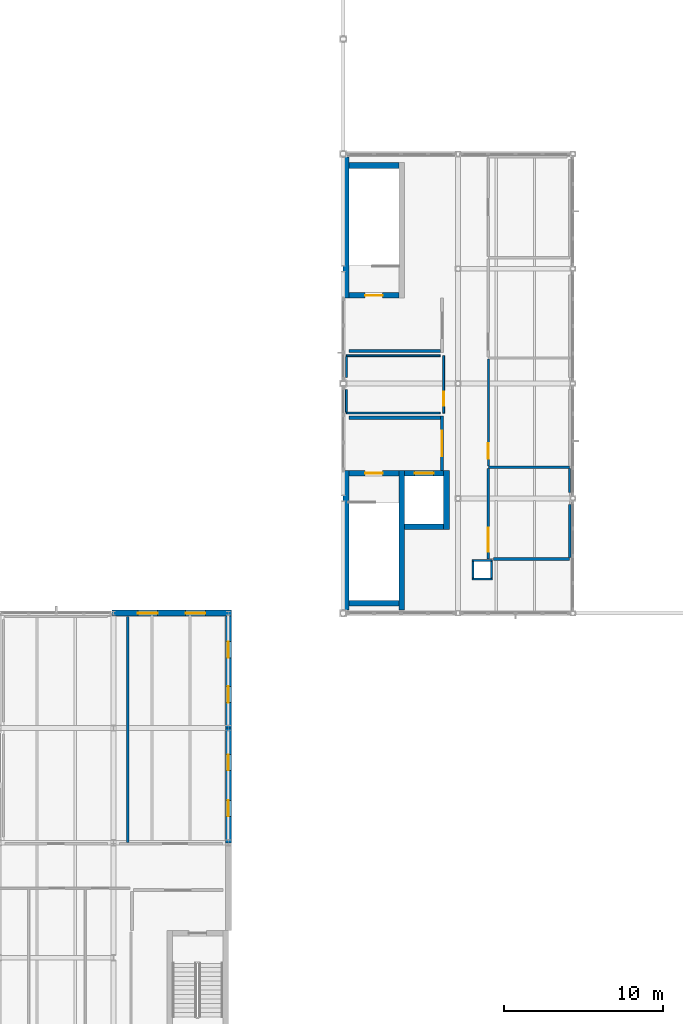
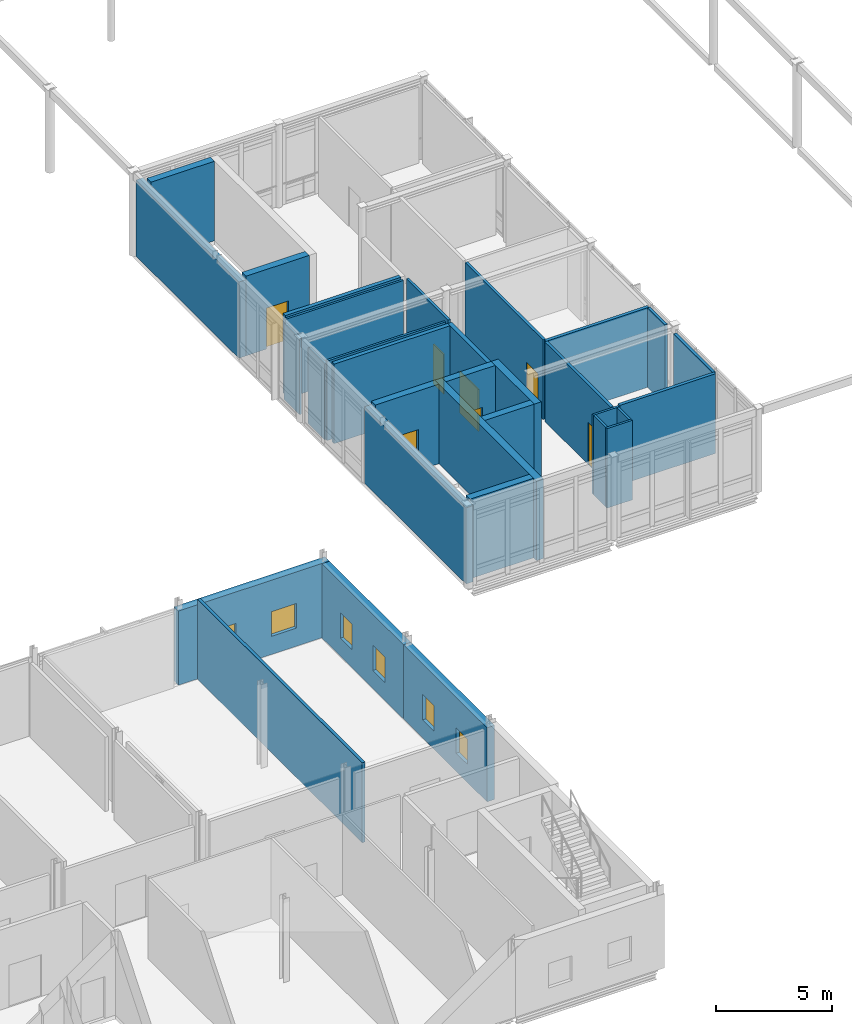
# One storey, part 57 of 72: 32 walls, 7 doors, 6 windows, 13 openings.
"""IFC4 building model written with IfcOpenShell, lengths in metres."""

from ifc_helpers import new_model, si_unit, direction, frame, frame_2d, origin, place, context, subcontext, project, spatial, rectangle, extrude, material, layer, layer_set, type_object, element, fill, save


model = new_model("IFC4")

# Units and contexts
model_context = context("Model", 3, precision=1e-05, world=origin(), true_north=direction((0.0, 1.0)))
body_context = subcontext(model_context, "Body", "Model", "MODEL_VIEW")
ifc_project = project(units=[si_unit("LENGTHUNIT", "METRE"), si_unit("AREAUNIT", "SQUARE_METRE"), si_unit("VOLUMEUNIT", "CUBIC_METRE"), si_unit("PLANEANGLEUNIT", "RADIAN"), si_unit("MASSUNIT", "GRAM", prefix="KILO")], contexts=[model_context])

# Site, building, storey
site_placement = place(None, origin())
site = spatial("IfcSite", under=ifc_project, at=site_placement, CompositionType="ELEMENT")
building_placement = place(site_placement, origin())
building = spatial("IfcBuilding", under=site, at=building_placement, Name="Zarrinpeak Specialist Clinic", CompositionType="ELEMENT")
storey_placement = place(building_placement, frame((0.0, 0.0, 9.60009765625)))
storey = spatial("IfcBuildingStorey", under=building, at=storey_placement, Name="L02", CompositionType="ELEMENT", Elevation=9.60009765625)

# Wall
ifc_material_1 = material(Name="Concrete C40/50", Category="concrete")
ifc_layer_1 = layer(ifc_material_1, 0.35009765625)
ifc_layer_set_1 = layer_set([ifc_layer_1], Name="Concrete C40/50")
wall_type_1 = type_object("IfcWallType", Name="WL-CR350", PredefinedType="SHEAR", material=ifc_layer_set_1)
wall_1_placement = place(storey_placement, frame((93.949951171875, 29.425048828125, 0.0), z_axis=(0.0, 0.0, 1.0), x_axis=(1.0, 0.0, 0.0)))
element("IfcWall", 1, at=wall_1_placement, inside=storey, type_object=wall_type_1, Name="L02 Core C05 Shear Wall STS", PredefinedType="SHEAR", context=body_context, shape_type="SweptSolid", body=[
    extrude(rectangle(XDim=3.150146484375, YDim=0.35009765625, at=frame_2d((1.5751953125, 0.0))), origin(), (0.0, 0.0, 1.0), 4.179931640625),
])

# Wall, opening, door
wall_2_placement = place(storey_placement, frame((93.949951171875, 37.574951171875, 0.0), z_axis=(0.0, 0.0, 1.0), x_axis=(1.0, 0.0, 0.0)))
wall_2 = element("IfcWall", 2, at=wall_2_placement, inside=storey, type_object=wall_type_1, Name="L02 Core C05 Shear Wall STN", PredefinedType="SHEAR", context=body_context, shape_type="SweptSolid", body=[
    extrude(rectangle(XDim=3.150146484375, YDim=0.35009765625, at=frame_2d((1.5751953125, 0.0))), origin(), (0.0, 0.0, 1.0), 4.179931640625),
])
opening_1_placement = place(wall_2_placement, frame((1.02490234375, 0.0, 0.0)))
opening_1 = element("IfcOpeningElement", 3, at=opening_1_placement, cuts=wall_2, Name="Opening D-S02", PredefinedType="OPENING", context=body_context, shape_type="SweptSolid", body=[
    extrude(rectangle(XDim=1.10009765625, YDim=2.14990234375, at=frame_2d((0.550048828125, 1.074951171875))), frame((0.0, 0.18505859375, 0.0), z_axis=(0.0, -1.0, 0.0), x_axis=(1.0, 0.0, 0.0)), (0.0, 0.0, 1.0), 0.3701171875),
])
ifc_material_2 = material(Name="Powder-Coated Galvanised Steel", Category="steel")
door_type_1 = type_object("IfcDoorType", Name="DR-FD110", OperationType="SINGLE_SWING_RIGHT", PredefinedType="DOOR", material=ifc_material_2)
door_1_placement = place(opening_1_placement, frame((1.10009765625, 0.0, 0.0), z_axis=(0.0, 0.0, 1.0), x_axis=(-1.0, 0.0, 0.0)))
door_1 = element("IfcDoor", 4, at=door_1_placement, inside=storey, type_object=door_type_1, Name="L02 Protected Stair ST-05 Fire Door", OperationType="SINGLE_SWING_RIGHT", OverallHeight=2.14990234375, OverallWidth=1.10009765625, PredefinedType="DOOR", context=body_context, shape_type="SweptSolid", body=[
    extrude(rectangle(XDim=1.10009765625, YDim=2.14990234375, at=frame_2d((0.550048828125, 1.074951171875))), frame((0.0, 0.02490234375, 0.0), z_axis=(0.0, -1.0, 0.0), x_axis=(1.0, 0.0, 0.0)), (0.0, 0.0, 1.0), 0.050048828125),
])
fill(opening_1, door_1)

# Walls
wall_3_placement = place(storey_placement, frame((93.77490234375, 29.0, 0.0), z_axis=(0.0, 0.0, 1.0), x_axis=(0.0, 1.0, 0.0)))
element("IfcWall", 5, at=wall_3_placement, inside=storey, type_object=wall_type_1, Name="L02 Core C05 Shear Wall STW", PredefinedType="SHEAR", context=body_context, shape_type="SweptSolid", body=[
    extrude(rectangle(XDim=8.75, YDim=0.35009765625, at=frame_2d((4.375, 0.0))), origin(), (0.0, 0.0, 1.0), 4.0),
])
wall_4_placement = place(storey_placement, frame((97.27490234375, 29.0, 0.0), z_axis=(0.0, 0.0, 1.0), x_axis=(0.0, 1.0, 0.0)))
element("IfcWall", 6, at=wall_4_placement, inside=storey, type_object=wall_type_1, Name="L02 Core C05 Shear Wall STE", PredefinedType="SHEAR", context=body_context, shape_type="SweptSolid", body=[
    extrude(rectangle(XDim=8.75, YDim=0.35009765625, at=frame_2d((4.375, 0.0))), origin(), (0.0, 0.0, 1.0), 4.179931640625),
])
wall_5_placement = place(storey_placement, frame((97.449951171875, 34.22509765625, 0.0), z_axis=(0.0, 0.0, 1.0), x_axis=(1.0, 0.0, 0.0)))
element("IfcWall", 7, at=wall_5_placement, inside=storey, type_object=wall_type_1, Name="L02 Lift LF-P3 Shaft Wall LFS", PredefinedType="SHEAR", context=body_context, shape_type="SweptSolid", body=[
    extrude(rectangle(XDim=2.449951171875, YDim=0.35009765625, at=frame_2d((1.22509765625, 0.0))), origin(), (0.0, 0.0, 1.0), 4.179931640625),
])

# Wall, opening, door
wall_6_placement = place(storey_placement, frame((97.449951171875, 37.574951171875, 0.0), z_axis=(0.0, 0.0, 1.0), x_axis=(1.0, 0.0, 0.0)))
wall_6 = element("IfcWall", 8, at=wall_6_placement, inside=storey, type_object=wall_type_1, Name="L02 Lift LF-P3 Shaft Wall LFN", PredefinedType="SHEAR", context=body_context, shape_type="SweptSolid", body=[
    extrude(rectangle(XDim=2.449951171875, YDim=0.35009765625, at=frame_2d((1.22509765625, 0.0))), origin(), (0.0, 0.0, 1.0), 4.179931640625),
])
opening_2_placement = place(wall_6_placement, frame((0.625, 0.0, 0.0)))
opening_2 = element("IfcOpeningElement", 9, at=opening_2_placement, cuts=wall_6, Name="Opening LD-02", PredefinedType="OPENING", context=body_context, shape_type="SweptSolid", body=[
    extrude(rectangle(XDim=1.199951171875, YDim=2.199951171875, at=frame_2d((0.60009765625, 1.10009765625))), frame((0.0, 0.18505859375, 0.0), z_axis=(0.0, -1.0, 0.0), x_axis=(1.0, 0.0, 0.0)), (0.0, 0.0, 1.0), 0.3701171875),
])
door_type_2 = type_object("IfcDoorType", Name="DR-LD120", OperationType="SLIDING_TO_RIGHT", PredefinedType="DOOR", material=ifc_material_2)
door_2_placement = place(opening_2_placement, origin())
door_2 = element("IfcDoor", 10, at=door_2_placement, inside=storey, type_object=door_type_2, Name="L02 Lift LF-P3 Sliding Landing Door", OperationType="SLIDING_TO_RIGHT", OverallHeight=2.199951171875, OverallWidth=1.199951171875, PredefinedType="DOOR", context=body_context, shape_type="SweptSolid", body=[
    extrude(rectangle(XDim=1.199951171875, YDim=2.199951171875, at=frame_2d((0.60009765625, 1.10009765625))), frame((0.0, 0.02490234375, 0.0), z_axis=(0.0, -1.0, 0.0), x_axis=(1.0, 0.0, 0.0)), (0.0, 0.0, 1.0), 0.050048828125),
])
fill(opening_2, door_2)

# Wall
wall_7_placement = place(storey_placement, frame((100.074951171875, 34.050048828125, 0.0), z_axis=(0.0, 0.0, 1.0), x_axis=(0.0, 1.0, 0.0)))
element("IfcWall", 11, at=wall_7_placement, inside=storey, type_object=wall_type_1, Name="L02 Lift LF-P3 Shaft Wall LFE", PredefinedType="SHEAR", context=body_context, shape_type="SweptSolid", body=[
    extrude(rectangle(XDim=3.699951171875, YDim=0.35009765625, at=frame_2d((1.85009765625, 0.0))), origin(), (0.0, 0.0, 1.0), 4.179931640625),
])

# Wall, opening, door
wall_8_placement = place(storey_placement, frame((93.949951171875, 48.72509765625, 0.0), z_axis=(0.0, 0.0, 1.0), x_axis=(1.0, 0.0, 0.0)))
wall_8 = element("IfcWall", 12, at=wall_8_placement, inside=storey, type_object=wall_type_1, Name="L02 Core C06 Shear Wall STS", PredefinedType="SHEAR", context=body_context, shape_type="SweptSolid", body=[
    extrude(rectangle(XDim=3.150146484375, YDim=0.35009765625, at=frame_2d((1.5751953125, 0.0))), origin(), (0.0, 0.0, 1.0), 4.179931640625),
])
opening_3_placement = place(wall_8_placement, frame((1.02490234375, 0.0, 0.0)))
opening_3 = element("IfcOpeningElement", 13, at=opening_3_placement, cuts=wall_8, Name="Opening D-S02", PredefinedType="OPENING", context=body_context, shape_type="SweptSolid", body=[
    extrude(rectangle(XDim=1.10009765625, YDim=2.14990234375, at=frame_2d((0.550048828125, 1.074951171875))), frame((0.0, 0.18505859375, 0.0), z_axis=(0.0, -1.0, 0.0), x_axis=(1.0, 0.0, 0.0)), (0.0, 0.0, 1.0), 0.3701171875),
])
door_3_placement = place(opening_3_placement, origin())
door_3 = element("IfcDoor", 14, at=door_3_placement, inside=storey, type_object=door_type_1, Name="L02 Protected Stair ST-06 Fire Door", OperationType="SINGLE_SWING_RIGHT", OverallHeight=2.14990234375, OverallWidth=1.10009765625, PredefinedType="DOOR", context=body_context, shape_type="SweptSolid", body=[
    extrude(rectangle(XDim=1.10009765625, YDim=2.14990234375, at=frame_2d((0.550048828125, 1.074951171875))), frame((0.0, 0.02490234375, 0.0), z_axis=(0.0, -1.0, 0.0), x_axis=(1.0, 0.0, 0.0)), (0.0, 0.0, 1.0), 0.050048828125),
])
fill(opening_3, door_3)

# Walls
wall_9_placement = place(storey_placement, frame((93.949951171875, 56.875, 0.0), z_axis=(0.0, 0.0, 1.0), x_axis=(1.0, 0.0, 0.0)))
element("IfcWall", 15, at=wall_9_placement, inside=storey, type_object=wall_type_1, Name="L02 Core C06 Shear Wall STN", PredefinedType="SHEAR", context=body_context, shape_type="SweptSolid", body=[
    extrude(rectangle(XDim=3.150146484375, YDim=0.35009765625, at=frame_2d((1.5751953125, 0.0))), origin(), (0.0, 0.0, 1.0), 4.179931640625),
])
wall_10_placement = place(storey_placement, frame((93.77490234375, 48.550048828125, 0.0), z_axis=(0.0, 0.0, 1.0), x_axis=(0.0, 1.0, 0.0)))
element("IfcWall", 16, at=wall_10_placement, inside=storey, type_object=wall_type_1, Name="L02 Core C06 Shear Wall STW", PredefinedType="SHEAR", context=body_context, shape_type="SweptSolid", body=[
    extrude(rectangle(XDim=8.8466796875, YDim=0.35009765625, at=frame_2d((4.42333984375, 0.0))), origin(), (0.0, 0.0, 1.0), 4.0),
])

# Wall, openings, windows
ifc_material_3 = material(Name="Precast concrete C40/50", Category="concrete")
ifc_layer_2 = layer(ifc_material_3, 0.3798828125)
ifc_layer_set_2 = layer_set([ifc_layer_2], Name="Precast concrete C40/50")
wall_type_2 = type_object("IfcWallType", Name="WL-EW380", PredefinedType="STANDARD", material=ifc_layer_set_2)
wall_11_placement = place(storey_placement, frame((86.590087890625, 28.800048828125, 0.0), z_axis=(0.0, 0.0, 1.0), x_axis=(-1.0, 0.0, 0.0)))
wall_11 = element("IfcWall", 17, at=wall_11_placement, inside=storey, type_object=wall_type_2, Name="L02 V4 Exterior GRC Wall EW-L02-V4-0182", PredefinedType="STANDARD", context=body_context, shape_type="SweptSolid", body=[
    extrude(rectangle(XDim=7.5, YDim=0.3798828125, at=frame_2d((3.75, 0.0))), origin(), (0.0, 0.0, 1.0), 3.89990234375),
])
opening_4_placement = place(wall_11_placement, frame((1.633056640625, 0.0, 0.949951171875)))
opening_4 = element("IfcOpeningElement", 18, at=opening_4_placement, cuts=wall_11, Name="Opening WS-25", PredefinedType="OPENING", context=body_context, shape_type="SweptSolid", body=[
    extrude(rectangle(XDim=1.23388671875, YDim=1.2958984375, at=frame_2d((0.616943359375, 0.64794921875))), frame((0.0, 0.199951171875, 0.0), z_axis=(0.0, -1.0, 0.0), x_axis=(1.0, 0.0, 0.0)), (0.0, 0.0, 1.0), 0.39990234375),
])
opening_5_placement = place(wall_11_placement, frame((4.633056640625, 0.0, 0.949951171875)))
opening_5 = element("IfcOpeningElement", 19, at=opening_5_placement, cuts=wall_11, Name="Opening WS-25", PredefinedType="OPENING", context=body_context, shape_type="SweptSolid", body=[
    extrude(rectangle(XDim=1.23388671875, YDim=1.2958984375, at=frame_2d((0.616943359375, 0.64794921875))), frame((0.0, 0.199951171875, 0.0), z_axis=(0.0, -1.0, 0.0), x_axis=(1.0, 0.0, 0.0)), (0.0, 0.0, 1.0), 0.39990234375),
])
ifc_material_4 = material(Name="Thermally Broken Aluminium and Low-E Glazing", Category="aluminium")
window_type_1 = type_object("IfcWindowType", Name="WN-SP25", PartitioningType="SINGLE_PANEL", PredefinedType="WINDOW", material=ifc_material_4)
window_1_placement = place(opening_4_placement, origin())
window_1 = element("IfcWindow", 20, at=window_1_placement, inside=storey, type_object=window_type_1, Name="L02 Modular Facade Window WN-L02-0214", OverallHeight=1.2958984375, OverallWidth=1.23388671875, PartitioningType="SINGLE_PANEL", PredefinedType="WINDOW", context=body_context, shape_type="SweptSolid", body=[
    extrude(rectangle(XDim=1.23388671875, YDim=1.2958984375, at=frame_2d((0.616943359375, 0.64794921875))), frame((0.0, 0.030029296875, 0.0), z_axis=(0.0, -1.0, 0.0), x_axis=(1.0, 0.0, 0.0)), (0.0, 0.0, 1.0), 0.06005859375),
])
fill(opening_4, window_1)
window_2_placement = place(opening_5_placement, origin())
window_2 = element("IfcWindow", 21, at=window_2_placement, inside=storey, type_object=window_type_1, Name="L02 Modular Facade Window WN-L02-0215", OverallHeight=1.2958984375, OverallWidth=1.23388671875, PartitioningType="SINGLE_PANEL", PredefinedType="WINDOW", context=body_context, shape_type="SweptSolid", body=[
    extrude(rectangle(XDim=1.23388671875, YDim=1.2958984375, at=frame_2d((0.616943359375, 0.64794921875))), frame((0.0, 0.030029296875, 0.0), z_axis=(0.0, -1.0, 0.0), x_axis=(1.0, 0.0, 0.0)), (0.0, 0.0, 1.0), 0.06005859375),
])
fill(opening_5, window_2)

wall_12_placement = place(storey_placement, frame((86.39990234375, 14.39990234375, 0.0), z_axis=(0.0, 0.0, 1.0), x_axis=(0.0, 1.0, 0.0)))
wall_12 = element("IfcWall", 22, at=wall_12_placement, inside=storey, type_object=wall_type_2, Name="L02 V4 Exterior GRC Wall EW-L02-V4-0188", PredefinedType="STANDARD", context=body_context, shape_type="SweptSolid", body=[
    extrude(rectangle(XDim=7.2001953125, YDim=0.3798828125, at=frame_2d((3.60009765625, 0.0))), origin(), (0.0, 0.0, 1.0), 3.885009765625),
])
opening_6_placement = place(wall_12_placement, frame((1.662109375, 0.0, 0.949951171875)))
opening_6 = element("IfcOpeningElement", 23, at=opening_6_placement, cuts=wall_12, Name="Opening WS-31", PredefinedType="OPENING", context=body_context, shape_type="SweptSolid", body=[
    extrude(rectangle(XDim=0.99609375, YDim=1.33203125, at=frame_2d((0.498046875, 0.666015625))), frame((0.0, 0.199951171875, 0.0), z_axis=(0.0, -1.0, 0.0), x_axis=(1.0, 0.0, 0.0)), (0.0, 0.0, 1.0), 0.39990234375),
])
opening_7_placement = place(wall_12_placement, frame((4.5419921875, 0.0, 0.949951171875)))
opening_7 = element("IfcOpeningElement", 24, at=opening_7_placement, cuts=wall_12, Name="Opening WS-31", PredefinedType="OPENING", context=body_context, shape_type="SweptSolid", body=[
    extrude(rectangle(XDim=0.99609375, YDim=1.33203125, at=frame_2d((0.498046875, 0.666015625))), frame((0.0, 0.199951171875, 0.0), z_axis=(0.0, -1.0, 0.0), x_axis=(1.0, 0.0, 0.0)), (0.0, 0.0, 1.0), 0.39990234375),
])
window_type_2 = type_object("IfcWindowType", Name="WN-SP31", PartitioningType="SINGLE_PANEL", PredefinedType="WINDOW", material=ifc_material_4)
window_3_placement = place(opening_6_placement, origin())
window_3 = element("IfcWindow", 25, at=window_3_placement, inside=storey, type_object=window_type_2, Name="L02 Modular Facade Window WN-L02-0220", OverallHeight=1.33203125, OverallWidth=0.99609375, PartitioningType="SINGLE_PANEL", PredefinedType="WINDOW", context=body_context, shape_type="SweptSolid", body=[
    extrude(rectangle(XDim=0.99609375, YDim=1.33203125, at=frame_2d((0.498046875, 0.666015625))), frame((0.0, 0.030029296875, 0.0), z_axis=(0.0, -1.0, 0.0), x_axis=(1.0, 0.0, 0.0)), (0.0, 0.0, 1.0), 0.06005859375),
])
fill(opening_6, window_3)
window_4_placement = place(opening_7_placement, origin())
window_4 = element("IfcWindow", 26, at=window_4_placement, inside=storey, type_object=window_type_2, Name="L02 Modular Facade Window WN-L02-0221", OverallHeight=1.33203125, OverallWidth=0.99609375, PartitioningType="SINGLE_PANEL", PredefinedType="WINDOW", context=body_context, shape_type="SweptSolid", body=[
    extrude(rectangle(XDim=0.99609375, YDim=1.33203125, at=frame_2d((0.498046875, 0.666015625))), frame((0.0, 0.030029296875, 0.0), z_axis=(0.0, -1.0, 0.0), x_axis=(1.0, 0.0, 0.0)), (0.0, 0.0, 1.0), 0.06005859375),
])
fill(opening_7, window_4)

wall_13_placement = place(storey_placement, frame((86.39990234375, 21.60009765625, 0.0), z_axis=(0.0, 0.0, 1.0), x_axis=(0.0, 1.0, 0.0)))
wall_13 = element("IfcWall", 27, at=wall_13_placement, inside=storey, type_object=wall_type_2, Name="L02 V4 Exterior GRC Wall EW-L02-V4-0189", PredefinedType="STANDARD", context=body_context, shape_type="SweptSolid", body=[
    extrude(rectangle(XDim=7.010009765625, YDim=0.3798828125, at=frame_2d((3.5048828125, 0.0))), origin(), (0.0, 0.0, 1.0), 3.889892578125),
])
opening_8_placement = place(wall_13_placement, frame((1.587890625, 0.0, 0.949951171875)))
opening_8 = element("IfcOpeningElement", 28, at=opening_8_placement, cuts=wall_13, Name="Opening WS-32", PredefinedType="OPENING", context=body_context, shape_type="SweptSolid", body=[
    extrude(rectangle(XDim=1.030029296875, YDim=1.33203125, at=frame_2d((0.51513671875, 0.666015625))), frame((0.0, 0.199951171875, 0.0), z_axis=(0.0, -1.0, 0.0), x_axis=(1.0, 0.0, 0.0)), (0.0, 0.0, 1.0), 0.39990234375),
])
opening_9_placement = place(wall_13_placement, frame((4.39208984375, 0.0, 0.949951171875)))
opening_9 = element("IfcOpeningElement", 29, at=opening_9_placement, cuts=wall_13, Name="Opening WS-32", PredefinedType="OPENING", context=body_context, shape_type="SweptSolid", body=[
    extrude(rectangle(XDim=1.030029296875, YDim=1.33203125, at=frame_2d((0.51513671875, 0.666015625))), frame((0.0, 0.199951171875, 0.0), z_axis=(0.0, -1.0, 0.0), x_axis=(1.0, 0.0, 0.0)), (0.0, 0.0, 1.0), 0.39990234375),
])
window_type_3 = type_object("IfcWindowType", Name="WN-SP32", PartitioningType="SINGLE_PANEL", PredefinedType="WINDOW", material=ifc_material_4)
window_5_placement = place(opening_8_placement, origin())
window_5 = element("IfcWindow", 30, at=window_5_placement, inside=storey, type_object=window_type_3, Name="L02 Modular Facade Window WN-L02-0222", OverallHeight=1.33203125, OverallWidth=1.030029296875, PartitioningType="SINGLE_PANEL", PredefinedType="WINDOW", context=body_context, shape_type="SweptSolid", body=[
    extrude(rectangle(XDim=1.030029296875, YDim=1.33203125, at=frame_2d((0.51513671875, 0.666015625))), frame((0.0, 0.030029296875, 0.0), z_axis=(0.0, -1.0, 0.0), x_axis=(1.0, 0.0, 0.0)), (0.0, 0.0, 1.0), 0.06005859375),
])
fill(opening_8, window_5)
window_6_placement = place(opening_9_placement, origin())
window_6 = element("IfcWindow", 31, at=window_6_placement, inside=storey, type_object=window_type_3, Name="L02 Modular Facade Window WN-L02-0223", OverallHeight=1.33203125, OverallWidth=1.030029296875, PartitioningType="SINGLE_PANEL", PredefinedType="WINDOW", context=body_context, shape_type="SweptSolid", body=[
    extrude(rectangle(XDim=1.030029296875, YDim=1.33203125, at=frame_2d((0.51513671875, 0.666015625))), frame((0.0, 0.030029296875, 0.0), z_axis=(0.0, -1.0, 0.0), x_axis=(1.0, 0.0, 0.0)), (0.0, 0.0, 1.0), 0.06005859375),
])
fill(opening_9, window_6)

# Walls
ifc_material_5 = material(Name="Sanitary Service Chase Plumbing Wall", Category="gypsum")
ifc_layer_3 = layer(ifc_material_5, 0.110107421875)
ifc_layer_set_3 = layer_set([ifc_layer_3], Name="Sanitary Service Chase Plumbing Wall")
wall_type_3 = type_object("IfcWallType", Name="WL-IW110", PredefinedType="PARTITIONING", material=ifc_layer_set_3)
for number, where, z_axis, x_axis, name in (
    (32, (101.68994140625, 30.945068359375, 0.0), (0.0, 0.0, 1.0), (1.0, 0.0, 0.0), "L02 V3 Enclosed MEP Service Riser Wall S"),
    (33, (101.68994140625, 32.10498046875, 0.0), (0.0, 0.0, 1.0), (1.0, 0.0, 0.0), "L02 V3 Enclosed MEP Service Riser Wall N"),
):
    element("IfcWall", number, at=place(storey_placement, frame(where, z_axis=z_axis, x_axis=x_axis)), inside=storey, type_object=wall_type_3, Name=name, PredefinedType="PARTITIONING", context=body_context, shape_type="SweptSolid", body=[
        extrude(rectangle(XDim=1.27001953125, YDim=0.110107421875, at=frame_2d((0.635009765625, 0.0))), origin(), (0.0, 0.0, 1.0), 4.179931640625),
    ])
for number, where, z_axis, x_axis, name in (
    (34, (101.7451171875, 31.0, 0.0), (0.0, 0.0, 1.0), (0.0, 1.0, 0.0), "L02 V3 Enclosed MEP Service Riser Wall W"),
    (35, (102.905029296875, 31.0, 0.0), (0.0, 0.0, 1.0), (0.0, 1.0, 0.0), "L02 V3 Enclosed MEP Service Riser Wall E"),
):
    element("IfcWall", number, at=place(storey_placement, frame(where, z_axis=z_axis, x_axis=x_axis)), inside=storey, type_object=wall_type_3, Name=name, PredefinedType="PARTITIONING", context=body_context, shape_type="SweptSolid", body=[
        extrude(rectangle(XDim=1.050048828125, YDim=0.110107421875, at=frame_2d((0.52490234375, 0.0))), origin(), (0.0, 0.0, 1.0), 4.179931640625),
    ])
for number, where, z_axis, x_axis, name in (
    (36, (93.800048828125, 41.35009765625, 0.0), (0.0, 0.0, 1.0), (1.0, 0.0, 0.0), "L02 L02 V3 Assisted Rehab Washroom Partition"),
    (37, (93.800048828125, 44.949951171875, 0.0), (0.0, 0.0, 1.0), (1.0, 0.0, 0.0), "L02 L02 V3 Assisted Rehab Washroom Partition"),
):
    element("IfcWall", number, at=place(storey_placement, frame(where, z_axis=z_axis, x_axis=x_axis)), inside=storey, type_object=wall_type_3, Name=name, PredefinedType="PARTITIONING", context=body_context, shape_type="SweptSolid", body=[
        extrude(rectangle(XDim=5.8798828125, YDim=0.110107421875, at=frame_2d((2.93994140625, 0.0))), origin(), (0.0, 0.0, 1.0), 4.179931640625),
    ])
wall_14_placement = place(storey_placement, frame((93.800048828125, 43.580078125, 0.0), z_axis=(0.0, 0.0, 1.0), x_axis=(0.0, 1.0, 0.0)))
element("IfcWall", 38, at=wall_14_placement, inside=storey, type_object=wall_type_3, Name="L02 L02 V3 Assisted Rehab Washroom Dividing Partition", PredefinedType="PARTITIONING", context=body_context, shape_type="SweptSolid", body=[
    extrude(rectangle(XDim=1.31494140625, YDim=0.110107421875, at=frame_2d((0.657470703125, 0.0))), origin(), (0.0, 0.0, 1.0), 3.98486328125),
])
ifc_material_6 = material(Name="Moisture-Resistant Wet-Room Partition", Category="gypsum")
ifc_layer_4 = layer(ifc_material_6, 0.125)
ifc_layer_set_4 = layer_set([ifc_layer_4], Name="Moisture-Resistant Wet-Room Partition")
wall_type_4 = type_object("IfcWallType", Name="WL-IW125W", PredefinedType="PARTITIONING", material=ifc_layer_set_4)
wall_15_placement = place(storey_placement, frame((93.800048828125, 41.405029296875, 0.0), z_axis=(0.0, 0.0, 1.0), x_axis=(0.0, 1.0, 0.0)))
element("IfcWall", 39, at=wall_15_placement, inside=storey, type_object=wall_type_4, Name="L02 L02 V3 Assisted Rehab Washroom Dividing Partition", PredefinedType="PARTITIONING", context=body_context, shape_type="SweptSolid", body=[
    extrude(rectangle(XDim=1.4150390625, YDim=0.125, at=frame_2d((0.70751953125, 0.0))), origin(), (0.0, 0.0, 1.0), 3.98486328125),
])

# Wall, opening, door
wall_16_placement = place(storey_placement, frame((99.89990234375, 41.35009765625, 0.0), z_axis=(0.0, 0.0, 1.0), x_axis=(0.0, 1.0, 0.0)))
wall_16 = element("IfcWall", 40, at=wall_16_placement, inside=storey, type_object=wall_type_4, Name="L02 L02 V3 Assisted Rehab Washroom Dividing Partition", PredefinedType="PARTITIONING", context=body_context, shape_type="SweptSolid", body=[
    extrude(rectangle(XDim=3.599853515625, YDim=0.125, at=frame_2d((1.7998046875, 0.0))), origin(), (0.0, 0.0, 1.0), 4.179931640625),
])
opening_10_placement = place(wall_16_placement, frame((0.449951171875, 0.0, 0.0)))
opening_10 = element("IfcOpeningElement", 41, at=opening_10_placement, cuts=wall_16, Name="Opening D-W01", PredefinedType="OPENING", context=body_context, shape_type="SweptSolid", body=[
    extrude(rectangle(XDim=0.89990234375, YDim=2.10009765625, at=frame_2d((0.449951171875, 1.050048828125))), frame((0.0, 0.072509765625, 0.0), z_axis=(0.0, -1.0, 0.0), x_axis=(1.0, 0.0, 0.0)), (0.0, 0.0, 1.0), 0.14501953125),
])
door_type_3 = type_object("IfcDoorType", Name="DR-WC90", OperationType="SINGLE_SWING_RIGHT", PredefinedType="DOOR", material=ifc_material_2)
door_4_placement = place(opening_10_placement, frame((0.89990234375, 0.0, 0.0), z_axis=(0.0, 0.0, 1.0), x_axis=(-1.0, 0.0, 0.0)))
door_4 = element("IfcDoor", 42, at=door_4_placement, inside=storey, type_object=door_type_3, Name="L02 L02 V3 Assisted Rehab Washroom Door", OperationType="SINGLE_SWING_RIGHT", OverallHeight=2.10009765625, OverallWidth=0.89990234375, PredefinedType="DOOR", context=body_context, shape_type="SweptSolid", body=[
    extrude(rectangle(XDim=0.89990234375, YDim=2.10009765625, at=frame_2d((0.449951171875, 1.050048828125))), frame((0.0, 0.02490234375, 0.0), z_axis=(0.0, -1.0, 0.0), x_axis=(1.0, 0.0, 0.0)), (0.0, 0.0, 1.0), 0.050048828125),
])
fill(opening_10, door_4)

ifc_material_7 = material(Name="Standard Drywall Partition", Category="gypsum")
ifc_layer_5 = layer(ifc_material_7, 0.135009765625)
ifc_layer_set_5 = layer_set([ifc_layer_5], Name="Standard Drywall Partition")
wall_type_5 = type_object("IfcWallType", Name="WL-IW135", PredefinedType="PARTITIONING", material=ifc_layer_set_5)
wall_17_placement = place(storey_placement, frame((102.699951171875, 38.030029296875, 0.0), z_axis=(0.0, 0.0, 1.0), x_axis=(0.0, 1.0, 0.0)))
wall_17 = element("IfcWall", 43, at=wall_17_placement, inside=storey, type_object=wall_type_5, Name="L02 Mindfulness Recovery Lounge Dividing Partition", PredefinedType="PARTITIONING", context=body_context, shape_type="SweptSolid", body=[
    extrude(rectangle(XDim=6.702392578125, YDim=0.135009765625, at=frame_2d((3.35107421875, 0.0))), origin(), (0.0, 0.0, 1.0), 4.179931640625),
])
opening_11_placement = place(wall_17_placement, frame((0.449951171875, 0.0, 0.0)))
opening_11 = element("IfcOpeningElement", 44, at=opening_11_placement, cuts=wall_17, Name="Opening DS-57", PredefinedType="OPENING", context=body_context, shape_type="SweptSolid", body=[
    extrude(rectangle(XDim=0.98388671875, YDim=2.152099609375, at=frame_2d((0.491943359375, 1.076171875))), frame((0.0, 0.07763671875, 0.0), z_axis=(0.0, -1.0, 0.0), x_axis=(1.0, 0.0, 0.0)), (0.0, 0.0, 1.0), 0.155029296875),
])
door_type_4 = type_object("IfcDoorType", Name="DR-SP57", OperationType="SINGLE_SWING_RIGHT", PredefinedType="DOOR", material=ifc_material_2)
door_5_placement = place(opening_11_placement, origin())
door_5 = element("IfcDoor", 45, at=door_5_placement, inside=storey, type_object=door_type_4, Name="L02 Mindfulness Recovery Lounge Door", OperationType="SINGLE_SWING_RIGHT", OverallHeight=2.152099609375, OverallWidth=0.98388671875, PredefinedType="DOOR", context=body_context, shape_type="SweptSolid", body=[
    extrude(rectangle(XDim=0.98388671875, YDim=2.152099609375, at=frame_2d((0.491943359375, 1.076171875))), frame((0.0, 0.02490234375, 0.0), z_axis=(0.0, -1.0, 0.0), x_axis=(1.0, 0.0, 0.0)), (0.0, 0.0, 1.0), 0.050048828125),
])
fill(opening_11, door_5)

# Wall
wall_18_placement = place(storey_placement, frame((107.800048828125, 36.3798828125, 0.0), z_axis=(0.0, 0.0, 1.0), x_axis=(0.0, 1.0, 0.0)))
element("IfcWall", 46, at=wall_18_placement, inside=storey, type_object=wall_type_5, Name="L02 Cardiac Pulmonary Rehab Mezzanine Dividing Partition", PredefinedType="PARTITIONING", context=body_context, shape_type="SweptSolid", body=[
    extrude(rectangle(XDim=1.490234375, YDim=0.135009765625, at=frame_2d((0.7451171875, 0.0))), origin(), (0.0, 0.0, 1.0), 4.179931640625),
])

# Wall, opening, door
ifc_material_8 = material(Name="Acoustic Consultation Stud Partition", Category="gypsum")
ifc_layer_6 = layer(ifc_material_8, 0.14208984375)
ifc_layer_set_6 = layer_set([ifc_layer_6], Name="Acoustic Consultation Stud Partition")
wall_type_6 = type_object("IfcWallType", Name="WL-IW142", PredefinedType="PARTITIONING", material=ifc_layer_set_6)
wall_19_placement = place(storey_placement, frame((102.699951171875, 32.199951171875, 0.0), z_axis=(0.0, 0.0, 1.0), x_axis=(0.0, 1.0, 0.0)))
wall_19 = element("IfcWall", 47, at=wall_19_placement, inside=storey, type_object=wall_type_6, Name="L02 Cardiac Pulmonary Rehab Mezzanine Dividing Partition", PredefinedType="PARTITIONING", context=body_context, shape_type="SweptSolid", body=[
    extrude(rectangle(XDim=5.670166015625, YDim=0.14208984375, at=frame_2d((2.8349609375, 0.0))), origin(), (0.0, 0.0, 1.0), 4.179931640625),
])
opening_12_placement = place(wall_19_placement, frame((0.449951171875, 0.0, 0.0)))
opening_12 = element("IfcOpeningElement", 48, at=opening_12_placement, cuts=wall_19, Name="Opening D-B01", PredefinedType="OPENING", context=body_context, shape_type="SweptSolid", body=[
    extrude(rectangle(XDim=1.5, YDim=2.199951171875, at=frame_2d((0.75, 1.10009765625))), frame((0.0, 0.0810546875, 0.0), z_axis=(0.0, -1.0, 0.0), x_axis=(1.0, 0.0, 0.0)), (0.0, 0.0, 1.0), 0.162109375),
])
door_type_5 = type_object("IfcDoorType", Name="DR-BED150", OperationType="DOUBLE_DOOR_SINGLE_SWING", PredefinedType="DOOR", material=ifc_material_2)
door_6_placement = place(opening_12_placement, origin())
door_6 = element("IfcDoor", 49, at=door_6_placement, inside=storey, type_object=door_type_5, Name="L02 Cardiac Pulmonary Rehab Mezzanine Door", OperationType="DOUBLE_DOOR_SINGLE_SWING", OverallHeight=2.199951171875, OverallWidth=1.5, PredefinedType="DOOR", context=body_context, shape_type="SweptSolid", body=[
    extrude(rectangle(XDim=1.5, YDim=2.199951171875, at=frame_2d((0.75, 1.10009765625))), frame((0.0, 0.02490234375, 0.0), z_axis=(0.0, -1.0, 0.0), x_axis=(1.0, 0.0, 0.0)), (0.0, 0.0, 1.0), 0.050048828125),
])
fill(opening_12, door_6)

# Walls
wall_20_placement = place(storey_placement, frame((107.800048828125, 32.280029296875, 0.0), z_axis=(0.0, 0.0, 1.0), x_axis=(0.0, 1.0, 0.0)))
element("IfcWall", 50, at=wall_20_placement, inside=storey, type_object=wall_type_6, Name="L02 Cardiac Pulmonary Rehab Mezzanine Dividing Partition", PredefinedType="PARTITIONING", context=body_context, shape_type="SweptSolid", body=[
    extrude(rectangle(XDim=3.340087890625, YDim=0.14208984375, at=frame_2d((1.669921875, 0.0))), origin(), (0.0, 0.0, 1.0), 4.179931640625),
])
ifc_material_9 = material(Name="Insulated Clinical Gypsum Stud Partition", Category="gypsum")
ifc_layer_7 = layer(ifc_material_9, 0.14990234375)
ifc_layer_set_7 = layer_set([ifc_layer_7], Name="Insulated Clinical Gypsum Stud Partition")
wall_type_7 = type_object("IfcWallType", Name="WL-IW150", PredefinedType="PARTITIONING", material=ifc_layer_set_7)
wall_21_placement = place(storey_placement, frame((80.10009765625, 14.429931640625, 0.0), z_axis=(0.0, 0.0, 1.0), x_axis=(0.0, 1.0, 0.0)))
element("IfcWall", 51, at=wall_21_placement, inside=storey, type_object=wall_type_7, Name="L02 Ambulatory Operating Suite 2 Dividing Partition", PredefinedType="PARTITIONING", context=body_context, shape_type="SweptSolid", body=[
    extrude(rectangle(XDim=14.170166015625, YDim=0.14990234375, at=frame_2d((7.0849609375, 0.0))), origin(), (0.0, 0.0, 1.0), 4.199951171875),
])
ifc_material_10 = material(Name="Acoustic Double Gypsum Stud Partition", Category="gypsum")
ifc_layer_8 = layer(ifc_material_10, 0.159912109375)
ifc_layer_set_8 = layer_set([ifc_layer_8], Name="Acoustic Double Gypsum Stud Partition")
wall_type_8 = type_object("IfcWallType", Name="WL-IW160", PredefinedType="PARTITIONING", material=ifc_layer_set_8)
wall_22_placement = place(storey_placement, frame((103.034912109375, 32.199951171875, 0.0), z_axis=(0.0, 0.0, 1.0), x_axis=(1.0, 0.0, 0.0)))
element("IfcWall", 52, at=wall_22_placement, inside=storey, type_object=wall_type_8, Name="L02 Cardiac Pulmonary Rehab Mezzanine Partition", PredefinedType="PARTITIONING", context=body_context, shape_type="SweptSolid", body=[
    extrude(rectangle(XDim=4.76513671875, YDim=0.159912109375, at=frame_2d((2.382568359375, 0.0))), origin(), (0.0, 0.0, 1.0), 4.179931640625),
])
wall_23_placement = place(storey_placement, frame((102.699951171875, 37.949951171875, 0.0), z_axis=(0.0, 0.0, 1.0), x_axis=(1.0, 0.0, 0.0)))
element("IfcWall", 53, at=wall_23_placement, inside=storey, type_object=wall_type_8, Name="L02 Cardiac Pulmonary Rehab Mezzanine Partition", PredefinedType="PARTITIONING", context=body_context, shape_type="SweptSolid", body=[
    extrude(rectangle(XDim=5.10009765625, YDim=0.159912109375, at=frame_2d((2.550048828125, 0.0))), origin(), (0.0, 0.0, 1.0), 4.179931640625),
])

# Wall, opening, door
ifc_material_11 = material(Name="Autoclaved Aerated Concrete Blockwork", Category="masonry")
ifc_layer_9 = layer(ifc_material_11, 0.199951171875)
ifc_layer_set_9 = layer_set([ifc_layer_9], Name="Autoclaved Aerated Concrete Blockwork")
wall_type_9 = type_object("IfcWallType", Name="WL-IW200", PredefinedType="PARTITIONING", material=ifc_layer_set_9)
wall_24_placement = place(storey_placement, frame((99.800048828125, 37.75, 0.0), z_axis=(0.0, 0.0, 1.0), x_axis=(0.0, 1.0, 0.0)))
wall_24 = element("IfcWall", 54, at=wall_24_placement, inside=storey, type_object=wall_type_9, Name="L02 C05 Protected Lobby Partition LBF", PredefinedType="PARTITIONING", context=body_context, shape_type="SweptSolid", body=[
    extrude(rectangle(XDim=3.39990234375, YDim=0.199951171875, at=frame_2d((1.699951171875, 0.0))), origin(), (0.0, 0.0, 1.0), 4.179931640625),
])
opening_13_placement = place(wall_24_placement, frame((0.89990234375, 0.0, 0.0)))
opening_13 = element("IfcOpeningElement", 55, at=opening_13_placement, cuts=wall_24, Name="Opening D-L01", PredefinedType="OPENING", context=body_context, shape_type="SweptSolid", body=[
    extrude(rectangle(XDim=1.60009765625, YDim=2.199951171875, at=frame_2d((0.800048828125, 1.10009765625))), frame((0.0, 0.10986328125, 0.0), z_axis=(0.0, -1.0, 0.0), x_axis=(1.0, 0.0, 0.0)), (0.0, 0.0, 1.0), 0.219970703125),
])
door_type_6 = type_object("IfcDoorType", Name="DR-LB160", OperationType="DOUBLE_DOOR_SINGLE_SWING", PredefinedType="DOOR", material=ifc_material_2)
door_7_placement = place(opening_13_placement, origin())
door_7 = element("IfcDoor", 56, at=door_7_placement, inside=storey, type_object=door_type_6, Name="L02 C05 Lobby Hold-Open Fire Door", OperationType="DOUBLE_DOOR_SINGLE_SWING", OverallHeight=2.199951171875, OverallWidth=1.60009765625, PredefinedType="DOOR", context=body_context, shape_type="SweptSolid", body=[
    extrude(rectangle(XDim=1.60009765625, YDim=2.199951171875, at=frame_2d((0.800048828125, 1.10009765625))), frame((0.0, 0.02490234375, 0.0), z_axis=(0.0, -1.0, 0.0), x_axis=(1.0, 0.0, 0.0)), (0.0, 0.0, 1.0), 0.050048828125),
])
fill(opening_13, door_7)

# Walls
for number, where, z_axis, x_axis, name in (
    (57, (93.949951171875, 41.050048828125, 0.0), (0.0, 0.0, 1.0), (1.0, 0.0, 0.0), "L02 C05 Protected Lobby Partition LBSIDE"),
    (58, (93.949951171875, 45.25, 0.0), (0.0, 0.0, 1.0), (1.0, 0.0, 0.0), "L02 C06 Protected Lobby Partition LBSIDE"),
):
    element("IfcWall", number, at=place(storey_placement, frame(where, z_axis=z_axis, x_axis=x_axis)), inside=storey, type_object=wall_type_9, Name=name, PredefinedType="PARTITIONING", context=body_context, shape_type="SweptSolid", body=[
        extrude(rectangle(XDim=5.75, YDim=0.199951171875, at=frame_2d((2.875, 0.0))), origin(), (0.0, 0.0, 1.0), 4.179931640625),
    ])

save(model, "model.ifc")
